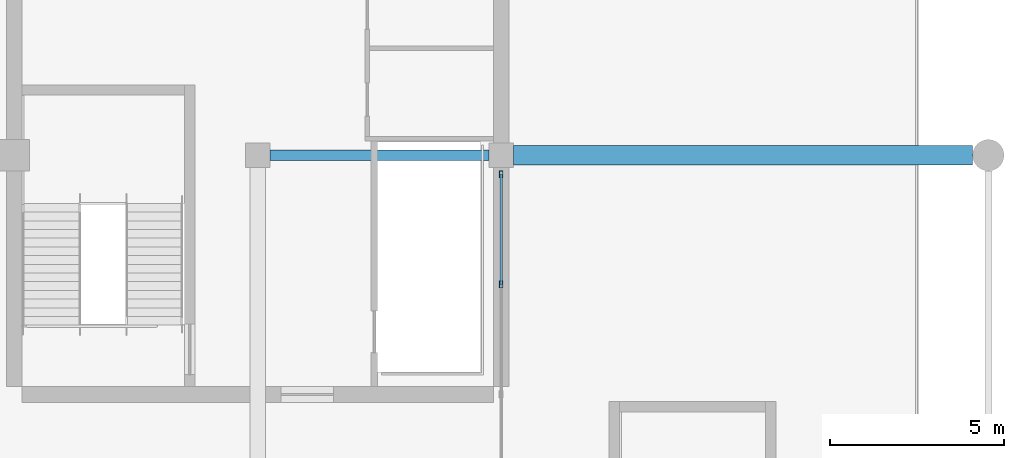
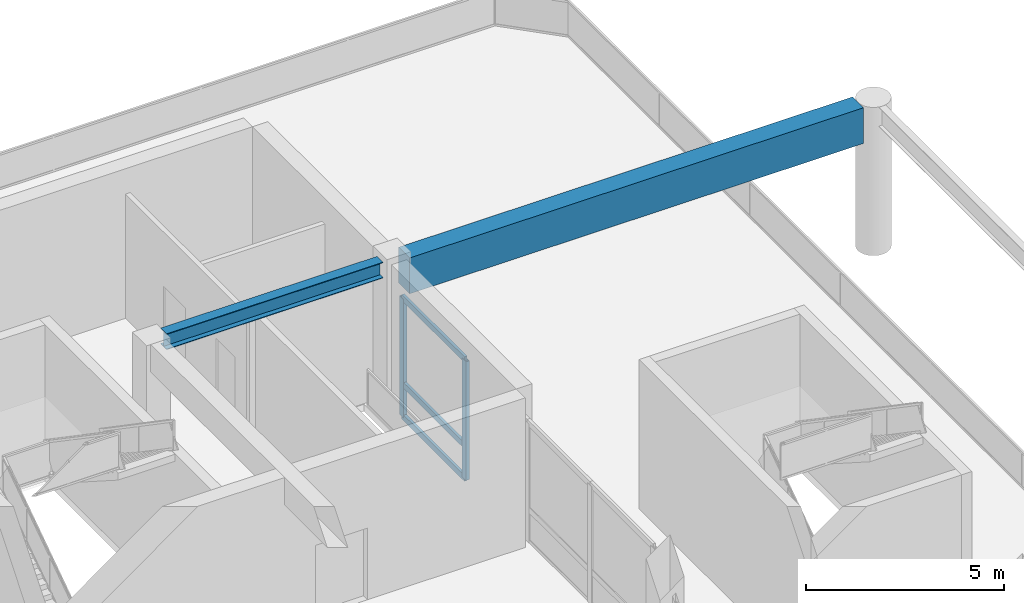
# One storey, part 54 of 94: 5 members, 2 beams, 1 element without a shape of its own.
"""IFC4 building model written with IfcOpenShell, lengths in metres."""

import ifcopenshell
import ifcopenshell.guid

model = None  # the IFC model being written
_history = None  # IfcOwnerHistory: only IFC2X3 demands one
_inside = {}  # id of a spatial element -> (the spatial element, [elements in it])
_under = {}  # id of a project, library or spatial element -> (it, [spatial elements below it])
_declared = {}  # id of a project -> (the project, [libraries it declares])
_typed = {}  # id of a type object -> (the type object, [elements of that type])
_made_of = {}  # id of a material, layer set ... -> (it, [elements and type objects made of it])


def new_model(schema):
    """Start an empty IFC model of exactly this schema.

    Asked for "IFC4X3", IfcOpenShell would pick the latest addendum, in which some entities
    have other attributes; the version numbers below select the first issue.
    IFC2X3 requires an IfcOwnerHistory on every rooted entity: one is made here for all.
    """
    global model, _history
    if schema == "IFC4X3":
        model = ifcopenshell.file(schema_version=(4, 3, 0, 0))
    else:
        model = ifcopenshell.file(schema=schema)
    _inside.clear()
    _under.clear()
    _declared.clear()
    _typed.clear()
    _made_of.clear()
    _history = None
    if model.schema == "IFC2X3":
        org = make("IfcOrganization", Name="unknown")
        user = make(
            "IfcPersonAndOrganization",
            ThePerson=make("IfcPerson", FamilyName="unknown"),
            TheOrganization=org,
        )
        app = make(
            "IfcApplication",
            ApplicationDeveloper=org,
            Version="unknown",
            ApplicationFullName="unknown",
            ApplicationIdentifier="unknown",
        )
        _history = make(
            "IfcOwnerHistory",
            OwningUser=user,
            OwningApplication=app,
            ChangeAction="ADDED",
            CreationDate=0,
        )
    return model


def make(cls, **values):
    """One entity of the class cls with the attributes given. An attribute that is None is left unset."""
    return model.create_entity(
        cls, **{name: value for name, value in values.items() if value is not None}
    )


def rooted(cls, **values):
    """An entity with a GlobalId (a new one), such as an element, a storey or a relation."""
    return make(cls, GlobalId=ifcopenshell.guid.new(), OwnerHistory=_history, **values)


def si_unit(unit_type, name, prefix=None):
    """IfcSIUnit, for example si_unit("LENGTHUNIT", "METRE", prefix="MILLI")."""
    return make("IfcSIUnit", UnitType=unit_type, Prefix=prefix, Name=name)


def assignment(units):
    """IfcUnitAssignment: the units of a project."""
    return None if units is None else make("IfcUnitAssignment", Units=units)


def point(xyz):
    """IfcCartesianPoint."""
    return None if xyz is None else make("IfcCartesianPoint", Coordinates=xyz)


def direction(xyz):
    """IfcDirection."""
    return None if xyz is None else make("IfcDirection", DirectionRatios=xyz)


def frame(location, z_axis=None, x_axis=None):
    """IfcAxis2Placement3D, a coordinate frame: its origin and axes. An axis left out is left unset."""
    return make(
        "IfcAxis2Placement3D",
        Location=point(location),
        Axis=direction(z_axis),
        RefDirection=direction(x_axis),
    )


def frame_2d(location, x_axis=None):
    """IfcAxis2Placement2D, a coordinate frame in the plane: its origin and x axis."""
    return make(
        "IfcAxis2Placement2D", Location=point(location), RefDirection=direction(x_axis)
    )


def origin():
    """The frame at (0, 0, 0) with its axes left unset."""
    return frame((0.0, 0.0, 0.0))


def origin_2d():
    """The frame at (0, 0) in the plane with its x axis left unset."""
    return frame_2d((0.0, 0.0))


def place(relative_to, where):
    """IfcLocalPlacement: puts the frame where relative to a parent placement (None: the world)."""
    return make(
        "IfcLocalPlacement", PlacementRelTo=relative_to, RelativePlacement=where
    )


def context(
    kind, dimensions, precision=None, world=None, true_north=None, identifier=None
):
    """IfcGeometricRepresentationContext, for example the 3D "Model" context."""
    return make(
        "IfcGeometricRepresentationContext",
        ContextIdentifier=identifier,
        ContextType=kind,
        CoordinateSpaceDimension=dimensions,
        Precision=precision,
        WorldCoordinateSystem=world,
        TrueNorth=true_north,
    )


def subcontext(parent, identifier, kind, view, scale=None):
    """IfcGeometricRepresentationSubContext, for example "Body" below "Model"."""
    return make(
        "IfcGeometricRepresentationSubContext",
        ContextIdentifier=identifier,
        ContextType=kind,
        ParentContext=parent,
        TargetScale=scale,
        TargetView=view,
    )


def project(units=None, contexts=None):
    """IfcProject with its units and contexts."""
    return rooted(
        "IfcProject",
        Name="project",
        RepresentationContexts=contexts,
        UnitsInContext=assignment(units),
    )


def spatial(cls, under=None, at=None, **own):
    """A site, building, storey or space (cls), placed at a placement, below another one or the project."""
    s = rooted(cls, ObjectPlacement=at, **own)
    if under is not None:
        _under.setdefault(under.id(), (under, []))[1].append(s)
    return s


def profile(cls, at=None, kind="AREA", **sizes):
    """A parametric profile (cls). Its sizes go by their IFC names, for example OverallWidth=200.0."""
    return make(cls, ProfileType=kind, Position=at, **sizes)


def rectangle(**sizes):
    """IfcRectangleProfileDef."""
    return profile("IfcRectangleProfileDef", **sizes)


def hollow_rectangle(**sizes):
    """IfcRectangleHollowProfileDef."""
    return profile("IfcRectangleHollowProfileDef", **sizes)


def i_section(**sizes):
    """IfcIShapeProfileDef."""
    return profile("IfcIShapeProfileDef", **sizes)


def extrude(swept, where, along, depth):
    """IfcExtrudedAreaSolid: the profile swept, set in the frame where, extruded along a direction by depth."""
    return make(
        "IfcExtrudedAreaSolid",
        SweptArea=swept,
        Position=where,
        ExtrudedDirection=direction(along),
        Depth=depth,
    )


def shape(context_of_items, identifier, shape_type, items):
    """IfcShapeRepresentation: the items that make up one representation, for example the "Body"."""
    return make(
        "IfcShapeRepresentation",
        ContextOfItems=context_of_items,
        RepresentationIdentifier=identifier,
        RepresentationType=shape_type,
        Items=items,
    )


def material(Name=None, Category=None):
    """IfcMaterial."""
    return make("IfcMaterial", Name=Name, Category=Category)


def material_profile(
    of_material, cross_section, Name=None, Category=None, Priority=None
):
    """IfcMaterialProfile: a cross section and its material."""
    return make(
        "IfcMaterialProfile",
        Name=Name,
        Material=of_material,
        Profile=cross_section,
        Priority=Priority,
        Category=Category,
    )


def profile_set(profiles, Name=None, composite=None):
    """IfcMaterialProfileSet."""
    return make(
        "IfcMaterialProfileSet",
        Name=Name,
        MaterialProfiles=profiles,
        CompositeProfile=composite,
    )


def made_of(thing, what):
    """Note that an element or type object is made of a material, layer set ...; save() writes the relation."""
    if what is not None:
        _made_of.setdefault(what.id(), (what, []))[1].append(thing)
    return thing


def type_object(cls, material=None, **own):
    """A type object (cls), such as IfcWallType, which elements share."""
    return made_of(rooted(cls, **own), material)


def element(
    cls,
    number,
    at=None,
    inside=None,
    cuts=None,
    type_object=None,
    material=None,
    context=None,
    identifier="Body",
    shape_type=None,
    held_by="IfcProductDefinitionShape",
    body=None,
    shapes=None,
    **own,
):
    """One element of the class cls, such as IfcWall. Its Tag is "e" and its number.

    at: its placement. inside: the storey or other place that contains it. cuts: it is an
    opening in that element (IfcRelVoidsElement). A single representation is given by context,
    identifier, shape_type and body (its items); several are given by shapes. held_by: the class
    of the entity that holds the representations. save() writes the other relations.
    """
    e = rooted(cls, Tag="e%d" % number, ObjectPlacement=at, **own)
    if body is not None:
        shapes = [shape(context, identifier, shape_type, body)]
    if shapes is not None:
        e.Representation = make(held_by, Representations=shapes)
    if inside is not None:
        _inside.setdefault(inside.id(), (inside, []))[1].append(e)
    if cuts is not None:
        rooted(
            "IfcRelVoidsElement", RelatingBuildingElement=cuts, RelatedOpeningElement=e
        )
    if type_object is not None:
        _typed.setdefault(type_object.id(), (type_object, []))[1].append(e)
    return made_of(e, material)


def aggregate(whole, parts):
    """IfcRelAggregates: a whole, such as a stair, and the parts it consists of."""
    return rooted("IfcRelAggregates", RelatingObject=whole, RelatedObjects=parts)


def save(model, path):
    """Write the relations noted so far, then the file.

    IfcRelAggregates (storeys below a building ...), IfcRelContainedInSpatialStructure (elements
    in a storey), IfcRelDefinesByType, IfcRelAssociatesMaterial and IfcRelDeclares: one each for
    every whole, place, type object, material and project.
    """
    for whole, parts in _under.values():
        aggregate(whole, parts)
    for where, things in _inside.values():
        rooted(
            "IfcRelContainedInSpatialStructure",
            RelatedElements=things,
            RelatingStructure=where,
        )
    for kind, things in _typed.values():
        rooted("IfcRelDefinesByType", RelatedObjects=things, RelatingType=kind)
    for what, things in _made_of.values():
        rooted("IfcRelAssociatesMaterial", RelatedObjects=things, RelatingMaterial=what)
    for by, libraries in _declared.values():
        rooted("IfcRelDeclares", RelatingContext=by, RelatedDefinitions=libraries)
    model.write(path)


model = new_model("IFC4")

# Units and contexts
model_context = context("Model", 3, precision=1e-05, world=origin(), true_north=direction((0.0, 1.0)))
body_context = subcontext(model_context, "Body", "Model", "MODEL_VIEW")
ifc_project = project(units=[si_unit("LENGTHUNIT", "METRE"), si_unit("AREAUNIT", "SQUARE_METRE"), si_unit("VOLUMEUNIT", "CUBIC_METRE"), si_unit("PLANEANGLEUNIT", "RADIAN"), si_unit("MASSUNIT", "GRAM", prefix="KILO")], contexts=[model_context])

# Site, building, storey
site_placement = place(None, origin())
site = spatial("IfcSite", under=ifc_project, at=site_placement, CompositionType="ELEMENT")
building_placement = place(site_placement, origin())
building = spatial("IfcBuilding", under=site, at=building_placement, Name="Linyun Crest Stadium", CompositionType="ELEMENT")
storey_placement = place(building_placement, frame((0.0, 0.0, 16.199951171875)))
storey = spatial("IfcBuildingStorey", under=building, at=storey_placement, Name="L04", CompositionType="ELEMENT", Elevation=16.199951171875)

# Beam
ifc_material_1 = material(Name="Steel Q355C", Category="steel")
ifc_material_profile_1 = material_profile(ifc_material_1, i_section(OverallWidth=0.300048828125, OverallDepth=0.488037109375, WebThickness=0.010986328125, FlangeThickness=0.01806640625, at=origin_2d()), Name="HM 488x300")
ifc_profile_set_1 = profile_set([ifc_material_profile_1], Name="Steel Q355C")
beam_type_1 = type_object("IfcBeamType", Name="B08", PredefinedType="BEAM", material=ifc_profile_set_1)
beam_1_placement = place(storey_placement, frame((77.35009765625, 43.375, 4.35595703125), z_axis=(1.0, 0.0, 0.0), x_axis=(0.0, 1.0, 0.0)))
element("IfcBeam", 1, at=beam_1_placement, inside=storey, type_object=beam_type_1, Name="Frame beam B08 L04 697", PredefinedType="BEAM", context=body_context, shape_type="SweptSolid", body=[
    extrude(i_section(OverallWidth=0.300048828125, OverallDepth=0.488037109375, WebThickness=0.010986328125, FlangeThickness=0.01806640625, at=origin_2d()), origin(), (0.0, 0.0, 1.0), 6.2998046875),
])

# Curtain wall, members
ifc_material_2 = material(Name="Verdigris steel and low-E curtain wall assembly", Category="steel")
curtain_wall_type = type_object("IfcCurtainWallType", Name="MCW06", PredefinedType="NOTDEFINED", material=ifc_material_2)
curtain_wall_placement = place(storey_placement, origin())
curtain_wall = element("IfcCurtainWall", 2, at=curtain_wall_placement, inside=storey, type_object=curtain_wall_type, Name="CWR-125", PredefinedType="NOTDEFINED")
ifc_material_3 = material(Name="Verdigris painted steel Q355C mullion", Category="steel")
ifc_material_profile_2 = material_profile(ifc_material_3, hollow_rectangle(XDim=0.10009765625, YDim=0.199951171875, WallThickness=0.008056640625, at=origin_2d()), Name="RHS 200x100x8")
ifc_profile_set_2 = profile_set([ifc_material_profile_2], Name="Verdigris painted steel Q355C mullion")
member_type_1 = type_object("IfcMemberType", Name="ML03", PredefinedType="MULLION", material=ifc_profile_set_2)
member_1_placement = place(storey_placement, frame((84.0, 39.662109375, 0.0), z_axis=(0.0, 0.0, 1.0), x_axis=(-1.0, 0.0, 0.0)))
member_1 = element("IfcMember", 3, at=member_1_placement, type_object=member_type_1, Name="CWR-125 mullion 4", PredefinedType="MULLION", context=body_context, shape_type="SweptSolid", body=[
    extrude(hollow_rectangle(XDim=0.10009765625, YDim=0.199951171875, WallThickness=0.008056640625, at=origin_2d()), origin(), (0.0, 0.0, 1.0), 3.650146484375),
])
member_2_placement = place(storey_placement, frame((84.0, 42.824951171875, 0.0), z_axis=(0.0, 0.0, 1.0), x_axis=(-1.0, 0.0, 0.0)))
member_2 = element("IfcMember", 4, at=member_2_placement, type_object=member_type_1, Name="CWR-125 mullion 5", PredefinedType="MULLION", context=body_context, shape_type="SweptSolid", body=[
    extrude(hollow_rectangle(XDim=0.10009765625, YDim=0.199951171875, WallThickness=0.008056640625, at=origin_2d()), origin(), (0.0, 0.0, 1.0), 3.650146484375),
])

# Beam
ifc_material_4 = material(Name="Concrete C50", Category="concrete")
ifc_material_profile_3 = material_profile(ifc_material_4, rectangle(XDim=0.550048828125, YDim=1.10009765625, at=origin_2d()), Name="RCB 1100x550")
ifc_profile_set_3 = profile_set([ifc_material_profile_3], Name="Concrete C50")
beam_type_2 = type_object("IfcBeamType", Name="TB01", PredefinedType="USERDEFINED", material=ifc_profile_set_3)
beam_2_placement = place(storey_placement, frame((84.35009765625, 43.375, 4.010009765625), z_axis=(1.0, 0.0, 0.0), x_axis=(0.0, 1.0, 0.0)))
element("IfcBeam", 5, at=beam_2_placement, inside=storey, type_object=beam_type_2, Name="Frame beam TB01 L04 698", ObjectType="GIRDER", PredefinedType="USERDEFINED", context=body_context, shape_type="SweptSolid", body=[
    extrude(rectangle(XDim=0.550048828125, YDim=1.10009765625, at=origin_2d()), origin(), (0.0, 0.0, 1.0), 13.199951171875),
])

# Member
ifc_material_5 = material(Name="Verdigris painted steel Q355B transom", Category="steel")
ifc_material_profile_4 = material_profile(ifc_material_5, hollow_rectangle(XDim=0.080078125, YDim=0.179931640625, WallThickness=0.006103515625, at=origin_2d()), Name="RHS 180x80x6")
ifc_profile_set_4 = profile_set([ifc_material_profile_4], Name="Verdigris painted steel Q355B transom")
member_type_2 = type_object("IfcMemberType", Name="TR02", PredefinedType="USERDEFINED", material=ifc_profile_set_4)
member_3_placement = place(storey_placement, frame((84.0, 39.662109375, 0.0), z_axis=(0.0, 1.0, 0.0), x_axis=(-1.0, 0.0, 0.0)))
member_3 = element("IfcMember", 6, at=member_3_placement, type_object=member_type_2, Name="CWR-125 transom 4.1", ObjectType="TRANSOM", PredefinedType="USERDEFINED", context=body_context, shape_type="SweptSolid", body=[
    extrude(hollow_rectangle(XDim=0.080078125, YDim=0.179931640625, WallThickness=0.006103515625, at=origin_2d()), origin(), (0.0, 0.0, 1.0), 3.162841796875),
])

member_4_placement = place(storey_placement, frame((84.0, 39.662109375, 1.0), z_axis=(0.0, 1.0, 0.0), x_axis=(-1.0, 0.0, 0.0)))
member_4 = element("IfcMember", 7, at=member_4_placement, type_object=member_type_2, Name="CWR-125 transom 4.2", ObjectType="TRANSOM", PredefinedType="USERDEFINED", context=body_context, shape_type="SweptSolid", body=[
    extrude(hollow_rectangle(XDim=0.080078125, YDim=0.179931640625, WallThickness=0.006103515625, at=origin_2d()), origin(), (0.0, 0.0, 1.0), 3.162841796875),
])

member_5_placement = place(storey_placement, frame((84.0, 39.662109375, 3.650146484375), z_axis=(0.0, 1.0, 0.0), x_axis=(-1.0, 0.0, 0.0)))
member_5 = element("IfcMember", 8, at=member_5_placement, type_object=member_type_2, Name="CWR-125 transom 4.3", ObjectType="TRANSOM", PredefinedType="USERDEFINED", context=body_context, shape_type="SweptSolid", body=[
    extrude(hollow_rectangle(XDim=0.080078125, YDim=0.179931640625, WallThickness=0.006103515625, at=origin_2d()), origin(), (0.0, 0.0, 1.0), 3.162841796875),
])

aggregate(curtain_wall, [member_1, member_2, member_3, member_4, member_5])

save(model, "model.ifc")
